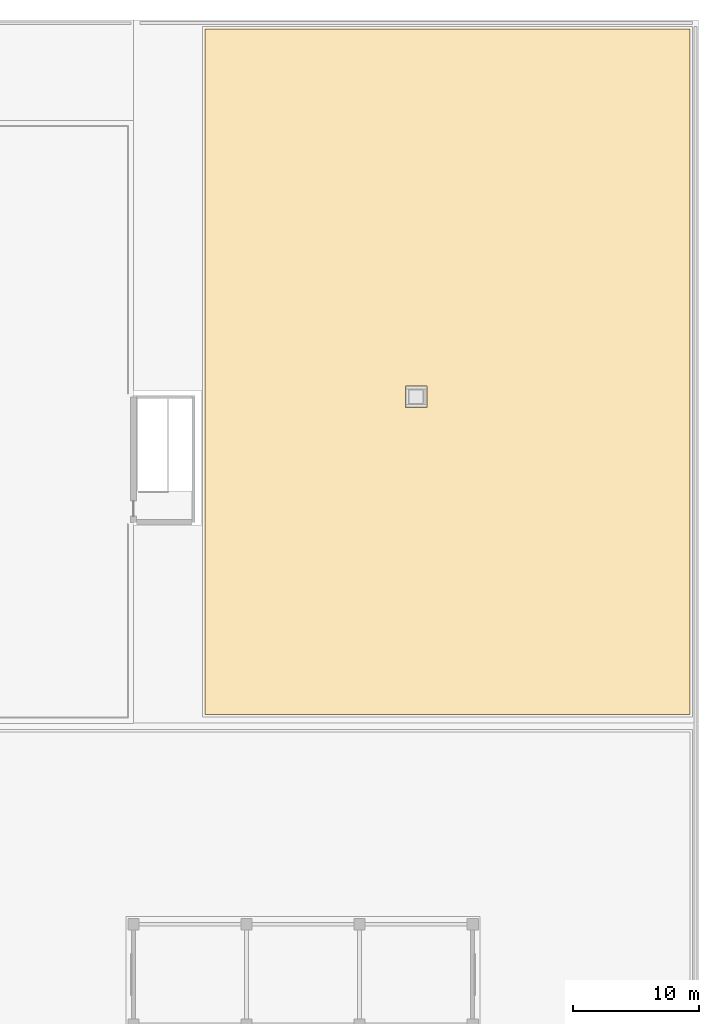
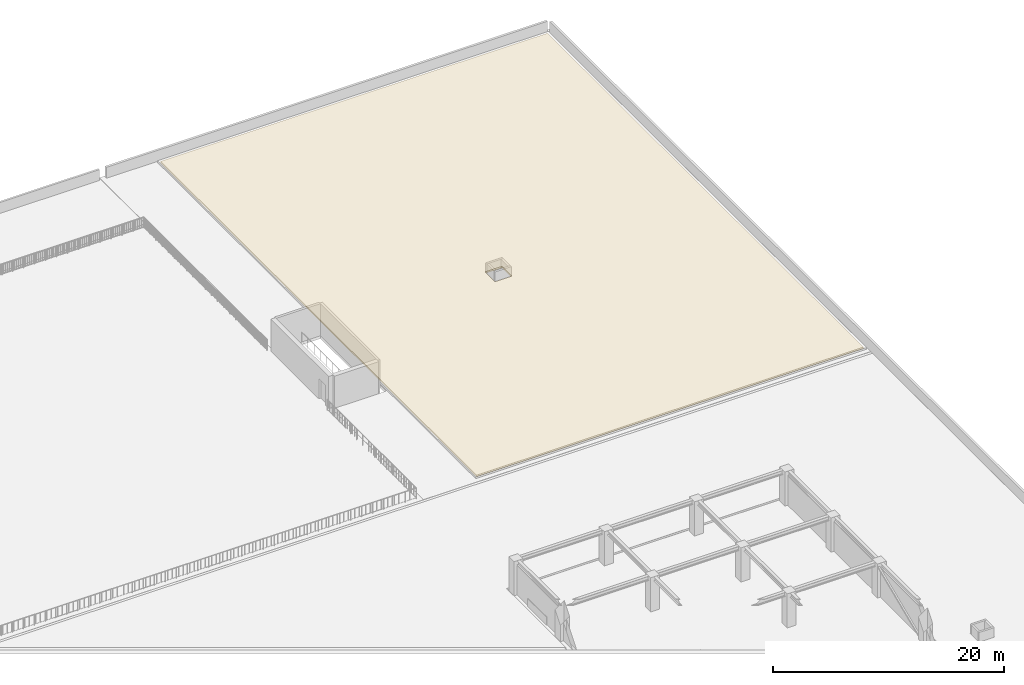
# One storey, part 34 of 34: 1 covering.
"""IFC4 building model written with IfcOpenShell, lengths in metres."""

from ifc_helpers import new_model, si_unit, direction, frame, origin, place, context, subcontext, project, spatial, polyline, outline, extrude, material, layer, layer_set, type_object, element, save


model = new_model("IFC4")

# Units and contexts
model_context = context("Model", 3, precision=1e-05, world=origin(), true_north=direction((0.0, 1.0)))
body_context = subcontext(model_context, "Body", "Model", "MODEL_VIEW")
ifc_project = project(units=[si_unit("LENGTHUNIT", "METRE"), si_unit("AREAUNIT", "SQUARE_METRE"), si_unit("VOLUMEUNIT", "CUBIC_METRE"), si_unit("PLANEANGLEUNIT", "RADIAN"), si_unit("MASSUNIT", "GRAM", prefix="KILO")], contexts=[model_context])

# Site, building, storey
site_placement = place(None, origin())
site = spatial("IfcSite", under=ifc_project, at=site_placement, CompositionType="ELEMENT")
building_placement = place(site_placement, origin())
building = spatial("IfcBuilding", under=site, at=building_placement, Name="Zaverband Oceanarium and Marine Research Institute", CompositionType="ELEMENT")
storey_placement = place(building_placement, frame((0.0, 0.0, 18.0)))
storey = spatial("IfcBuildingStorey", under=building, at=storey_placement, Name="L04", CompositionType="ELEMENT", Elevation=18.0)

# Covering
ifc_material = material(Name="TPO reflective membrane over rigid PIR roof insulation")
ifc_layer = layer(ifc_material, 0.159912109375, Name="TPO reflective membrane over rigid PIR roof insulation")
ifc_layer_set = layer_set([ifc_layer], Name="TPO reflective membrane over rigid PIR roof insulation")
covering_type = type_object("IfcCoveringType", Name="COV-ROOF-160", PredefinedType="ROOFING", material=ifc_layer_set)
covering_placement = place(storey_placement, frame((0.0, 0.0, 0.010009765625)))
element("IfcCovering", 1, at=covering_placement, inside=storey, type_object=covering_type, Name="Insulated coastal membrane roofing COV-ROOF-160", PredefinedType="ROOFING", context=body_context, shape_type="SweptSolid", body=[
    extrude(outline(polyline([(140.699951171875, 119.300048828125), (179.300048828125, 119.300048828125), (179.300048828125, 64.699951171875), (140.699951171875, 64.699951171875), (140.699951171875, 119.300048828125)]), holes=[polyline([(156.64990234375, 90.85009765625), (156.64990234375, 89.14990234375), (158.35009765625, 89.14990234375), (158.35009765625, 90.85009765625), (156.64990234375, 90.85009765625)])]), origin(), (0.0, 0.0, 1.0), 0.159912109375),
])

save(model, "model.ifc")
